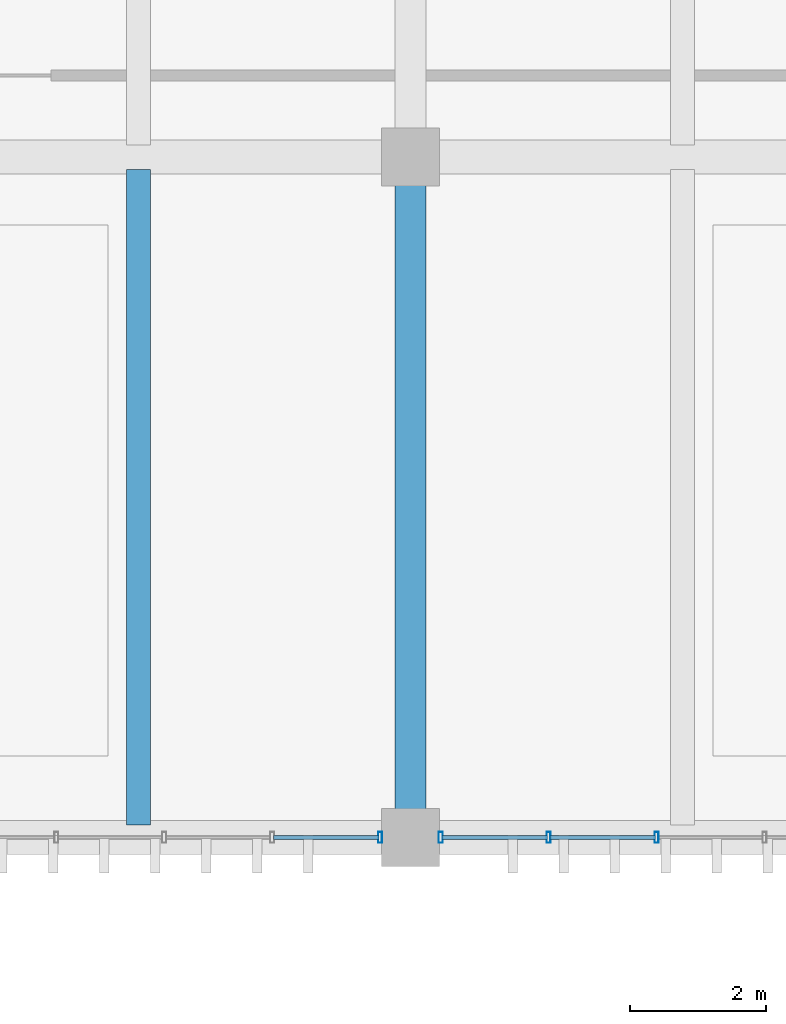
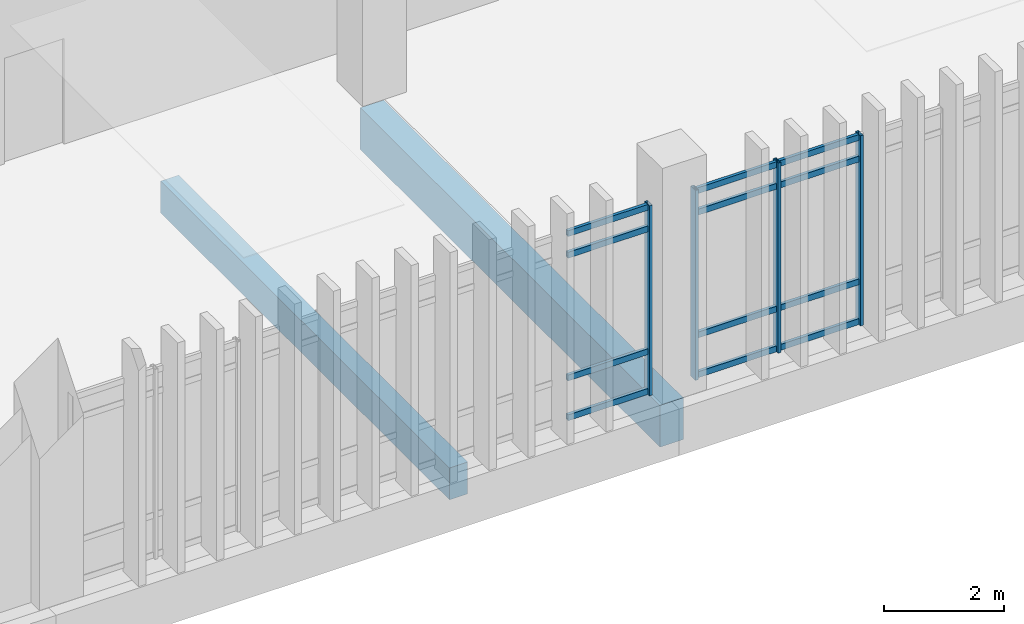
# One storey, part 35 of 87: 16 members, 2 beams, 2 elements without a shape of their own.
"""IFC4 building model written with IfcOpenShell, lengths in metres."""

from ifc_helpers import new_model, si_unit, direction, frame, origin, origin_2d, place, context, subcontext, project, spatial, rectangle, hollow_rectangle, extrude, material, layer, layer_set, material_profile, profile_set, type_object, element, aggregate, save


model = new_model("IFC4")

# Units and contexts
model_context = context("Model", 3, precision=1e-05, world=origin(), true_north=direction((0.0, 1.0)))
body_context = subcontext(model_context, "Body", "Model", "MODEL_VIEW")
ifc_project = project(units=[si_unit("LENGTHUNIT", "METRE"), si_unit("AREAUNIT", "SQUARE_METRE"), si_unit("VOLUMEUNIT", "CUBIC_METRE"), si_unit("PLANEANGLEUNIT", "RADIAN"), si_unit("MASSUNIT", "GRAM", prefix="KILO")], contexts=[model_context])

# Site, building, storey
site_placement = place(None, origin())
site = spatial("IfcSite", under=ifc_project, at=site_placement, CompositionType="ELEMENT")
building_placement = place(site_placement, origin())
building = spatial("IfcBuilding", under=site, at=building_placement, Name="Mersad Railyard Sports Hall", CompositionType="ELEMENT")
storey_placement = place(building_placement, origin())
storey = spatial("IfcBuildingStorey", under=building, at=storey_placement, Name="L00", CompositionType="ELEMENT", Elevation=0.0)

# Curtain wall, member
ifc_material_1 = material(Name="Aluminium 6063-T6", Category="aluminium")
ifc_layer = layer(ifc_material_1, 0.159912109375)
ifc_layer_set = layer_set([ifc_layer], Name="Aluminium 6063-T6")
curtain_wall_type = type_object("IfcCurtainWallType", Name="ARC-CW-CW31", PredefinedType="USERDEFINED", material=ifc_layer_set)
curtain_wall_1_placement = place(storey_placement, origin())
curtain_wall_1 = element("IfcCurtainWall", 1, at=curtain_wall_1_placement, inside=storey, type_object=curtain_wall_type, Name="Curtain wall CW31-0090", ObjectType="CURTAIN WALL", PredefinedType="USERDEFINED")
ifc_material_profile_1 = material_profile(ifc_material_1, hollow_rectangle(XDim=0.06005859375, YDim=0.159912109375, WallThickness=0.00390625, at=origin_2d()), Name="AL MULLION 60x160x4")
ifc_profile_set_1 = profile_set([ifc_material_profile_1], Name="Aluminium 6063-T6")
member_type_1 = type_object("IfcMemberType", Name="ARC-CW-MUL01", PredefinedType="MULLION", material=ifc_profile_set_1)
member_1_placement = place(storey_placement, frame((66.554931640625, 85.0, -0.02001953125), z_axis=(0.0, 0.0, 1.0), x_axis=(1.0, 0.0, 0.0)))
member_1 = element("IfcMember", 2, at=member_1_placement, type_object=member_type_1, Name="CW31 Mullion 1", PredefinedType="MULLION", context=body_context, shape_type="SweptSolid", body=[
    extrude(hollow_rectangle(XDim=0.06005859375, YDim=0.159912109375, WallThickness=0.00390625, at=origin_2d()), origin(), (0.0, 0.0, 1.0), 3.8701171875),
])

# Curtain wall, members
curtain_wall_2_placement = place(storey_placement, origin())
curtain_wall_2 = element("IfcCurtainWall", 3, at=curtain_wall_2_placement, inside=storey, type_object=curtain_wall_type, Name="Curtain wall CW31-0091", ObjectType="CURTAIN WALL", PredefinedType="USERDEFINED")
member_2_placement = place(storey_placement, frame((70.619384765625, 85.0, -0.02001953125), z_axis=(0.0, 0.0, 1.0), x_axis=(1.0, 0.0, 0.0)))
member_2 = element("IfcMember", 4, at=member_2_placement, type_object=member_type_1, Name="CW31 Mullion 6", PredefinedType="MULLION", context=body_context, shape_type="SweptSolid", body=[
    extrude(hollow_rectangle(XDim=0.06005859375, YDim=0.159912109375, WallThickness=0.00390625, at=origin_2d()), origin(), (0.0, 0.0, 1.0), 3.8701171875),
])
member_3_placement = place(storey_placement, frame((69.0322265625, 85.0, -0.02001953125), z_axis=(0.0, 0.0, 1.0), x_axis=(1.0, 0.0, 0.0)))
member_3 = element("IfcMember", 5, at=member_3_placement, type_object=member_type_1, Name="CW31 Mullion 7", PredefinedType="MULLION", context=body_context, shape_type="SweptSolid", body=[
    extrude(hollow_rectangle(XDim=0.06005859375, YDim=0.159912109375, WallThickness=0.00390625, at=origin_2d()), origin(), (0.0, 0.0, 1.0), 3.8701171875),
])
member_4_placement = place(storey_placement, frame((67.445068359375, 85.0, -0.02001953125), z_axis=(0.0, 0.0, 1.0), x_axis=(1.0, 0.0, 0.0)))
member_4 = element("IfcMember", 6, at=member_4_placement, type_object=member_type_1, Name="CW31 Mullion 8", PredefinedType="MULLION", context=body_context, shape_type="SweptSolid", body=[
    extrude(hollow_rectangle(XDim=0.06005859375, YDim=0.159912109375, WallThickness=0.00390625, at=origin_2d()), origin(), (0.0, 0.0, 1.0), 3.8701171875),
])

# Member
ifc_material_profile_2 = material_profile(ifc_material_1, hollow_rectangle(XDim=0.06005859375, YDim=0.1201171875, WallThickness=0.00390625, at=origin_2d()), Name="AL TRANSOM 60x120x4")
ifc_profile_set_2 = profile_set([ifc_material_profile_2], Name="Aluminium 6063-T6")
member_type_2 = type_object("IfcMemberType", Name="ARC-CW-TRN01", PredefinedType="USERDEFINED", material=ifc_profile_set_2)
member_5_placement = place(storey_placement, frame((66.534912109375, 85.0, 0.0400390625), z_axis=(-1.0, 0.0, 0.0), x_axis=(0.0, -1.0, 0.0)))
member_5 = element("IfcMember", 7, at=member_5_placement, type_object=member_type_2, Name="CW31 Transom 1-1", ObjectType="TRANSOM", PredefinedType="USERDEFINED", context=body_context, shape_type="SweptSolid", body=[
    extrude(hollow_rectangle(XDim=0.06005859375, YDim=0.1201171875, WallThickness=0.00390625, at=origin_2d()), origin(), (0.0, 0.0, 1.0), 1.547119140625),
])

member_6_placement = place(storey_placement, frame((66.534912109375, 85.0, 0.85009765625), z_axis=(-1.0, 0.0, 0.0), x_axis=(0.0, -1.0, 0.0)))
member_6 = element("IfcMember", 8, at=member_6_placement, type_object=member_type_2, Name="CW31 Transom 2-1", ObjectType="TRANSOM", PredefinedType="USERDEFINED", context=body_context, shape_type="SweptSolid", body=[
    extrude(hollow_rectangle(XDim=0.06005859375, YDim=0.1201171875, WallThickness=0.00390625, at=origin_2d()), origin(), (0.0, 0.0, 1.0), 1.547119140625),
])

member_7_placement = place(storey_placement, frame((66.534912109375, 85.0, 3.35009765625), z_axis=(-1.0, 0.0, 0.0), x_axis=(0.0, -1.0, 0.0)))
member_7 = element("IfcMember", 9, at=member_7_placement, type_object=member_type_2, Name="CW31 Transom 3-1", ObjectType="TRANSOM", PredefinedType="USERDEFINED", context=body_context, shape_type="SweptSolid", body=[
    extrude(hollow_rectangle(XDim=0.06005859375, YDim=0.1201171875, WallThickness=0.00390625, at=origin_2d()), origin(), (0.0, 0.0, 1.0), 1.547119140625),
])

member_8_placement = place(storey_placement, frame((66.534912109375, 85.0, 3.7900390625), z_axis=(-1.0, 0.0, 0.0), x_axis=(0.0, -1.0, 0.0)))
member_8 = element("IfcMember", 10, at=member_8_placement, type_object=member_type_2, Name="CW31 Transom 4-1", ObjectType="TRANSOM", PredefinedType="USERDEFINED", context=body_context, shape_type="SweptSolid", body=[
    extrude(hollow_rectangle(XDim=0.06005859375, YDim=0.1201171875, WallThickness=0.00390625, at=origin_2d()), origin(), (0.0, 0.0, 1.0), 1.547119140625),
])

aggregate(curtain_wall_1, [member_1, member_5, member_6, member_7, member_8])

member_9_placement = place(storey_placement, frame((70.599365234375, 85.0, 0.0400390625), z_axis=(-1.0, 0.0, 0.0), x_axis=(0.0, -1.0, 0.0)))
member_9 = element("IfcMember", 11, at=member_9_placement, type_object=member_type_2, Name="CW31 Transom 1-6", ObjectType="TRANSOM", PredefinedType="USERDEFINED", context=body_context, shape_type="SweptSolid", body=[
    extrude(hollow_rectangle(XDim=0.06005859375, YDim=0.1201171875, WallThickness=0.00390625, at=origin_2d()), origin(), (0.0, 0.0, 1.0), 1.547119140625),
])

member_10_placement = place(storey_placement, frame((69.01220703125, 85.0, 0.0400390625), z_axis=(-1.0, 0.0, 0.0), x_axis=(0.0, -1.0, 0.0)))
member_10 = element("IfcMember", 12, at=member_10_placement, type_object=member_type_2, Name="CW31 Transom 1-7", ObjectType="TRANSOM", PredefinedType="USERDEFINED", context=body_context, shape_type="SweptSolid", body=[
    extrude(hollow_rectangle(XDim=0.06005859375, YDim=0.1201171875, WallThickness=0.00390625, at=origin_2d()), origin(), (0.0, 0.0, 1.0), 1.547119140625),
])

member_11_placement = place(storey_placement, frame((70.599365234375, 85.0, 0.85009765625), z_axis=(-1.0, 0.0, 0.0), x_axis=(0.0, -1.0, 0.0)))
member_11 = element("IfcMember", 13, at=member_11_placement, type_object=member_type_2, Name="CW31 Transom 2-6", ObjectType="TRANSOM", PredefinedType="USERDEFINED", context=body_context, shape_type="SweptSolid", body=[
    extrude(hollow_rectangle(XDim=0.06005859375, YDim=0.1201171875, WallThickness=0.00390625, at=origin_2d()), origin(), (0.0, 0.0, 1.0), 1.547119140625),
])

member_12_placement = place(storey_placement, frame((69.01220703125, 85.0, 0.85009765625), z_axis=(-1.0, 0.0, 0.0), x_axis=(0.0, -1.0, 0.0)))
member_12 = element("IfcMember", 14, at=member_12_placement, type_object=member_type_2, Name="CW31 Transom 2-7", ObjectType="TRANSOM", PredefinedType="USERDEFINED", context=body_context, shape_type="SweptSolid", body=[
    extrude(hollow_rectangle(XDim=0.06005859375, YDim=0.1201171875, WallThickness=0.00390625, at=origin_2d()), origin(), (0.0, 0.0, 1.0), 1.547119140625),
])

member_13_placement = place(storey_placement, frame((70.599365234375, 85.0, 3.35009765625), z_axis=(-1.0, 0.0, 0.0), x_axis=(0.0, -1.0, 0.0)))
member_13 = element("IfcMember", 15, at=member_13_placement, type_object=member_type_2, Name="CW31 Transom 3-6", ObjectType="TRANSOM", PredefinedType="USERDEFINED", context=body_context, shape_type="SweptSolid", body=[
    extrude(hollow_rectangle(XDim=0.06005859375, YDim=0.1201171875, WallThickness=0.00390625, at=origin_2d()), origin(), (0.0, 0.0, 1.0), 1.547119140625),
])

member_14_placement = place(storey_placement, frame((69.01220703125, 85.0, 3.35009765625), z_axis=(-1.0, 0.0, 0.0), x_axis=(0.0, -1.0, 0.0)))
member_14 = element("IfcMember", 16, at=member_14_placement, type_object=member_type_2, Name="CW31 Transom 3-7", ObjectType="TRANSOM", PredefinedType="USERDEFINED", context=body_context, shape_type="SweptSolid", body=[
    extrude(hollow_rectangle(XDim=0.06005859375, YDim=0.1201171875, WallThickness=0.00390625, at=origin_2d()), origin(), (0.0, 0.0, 1.0), 1.547119140625),
])

member_15_placement = place(storey_placement, frame((70.599365234375, 85.0, 3.7900390625), z_axis=(-1.0, 0.0, 0.0), x_axis=(0.0, -1.0, 0.0)))
member_15 = element("IfcMember", 17, at=member_15_placement, type_object=member_type_2, Name="CW31 Transom 4-6", ObjectType="TRANSOM", PredefinedType="USERDEFINED", context=body_context, shape_type="SweptSolid", body=[
    extrude(hollow_rectangle(XDim=0.06005859375, YDim=0.1201171875, WallThickness=0.00390625, at=origin_2d()), origin(), (0.0, 0.0, 1.0), 1.547119140625),
])

member_16_placement = place(storey_placement, frame((69.01220703125, 85.0, 3.7900390625), z_axis=(-1.0, 0.0, 0.0), x_axis=(0.0, -1.0, 0.0)))
member_16 = element("IfcMember", 18, at=member_16_placement, type_object=member_type_2, Name="CW31 Transom 4-7", ObjectType="TRANSOM", PredefinedType="USERDEFINED", context=body_context, shape_type="SweptSolid", body=[
    extrude(hollow_rectangle(XDim=0.06005859375, YDim=0.1201171875, WallThickness=0.00390625, at=origin_2d()), origin(), (0.0, 0.0, 1.0), 1.547119140625),
])

aggregate(curtain_wall_2, [member_2, member_3, member_4, member_9, member_10, member_11, member_12, member_13, member_14, member_15, member_16])

# Beams
ifc_material_2 = material(Name="Concrete C40/50", Category="concrete")
ifc_material_profile_3 = material_profile(ifc_material_2, rectangle(XDim=0.449951171875, YDim=0.85009765625, at=origin_2d()), Name="RC 450x850")
ifc_profile_set_3 = profile_set([ifc_material_profile_3], Name="Concrete C40/50")
beam_type_1 = type_object("IfcBeamType", Name="STR-BM-B02", PredefinedType="BEAM", material=ifc_profile_set_3)
beam_1_placement = place(storey_placement, frame((67.0, 85.0, -0.77490234375), z_axis=(0.0, 1.0, 0.0), x_axis=(-1.0, 0.0, 0.0)))
element("IfcBeam", 19, at=beam_1_placement, inside=storey, type_object=beam_type_1, Name="Beam B02-0180", PredefinedType="BEAM", context=body_context, shape_type="SweptSolid", body=[
    extrude(rectangle(XDim=0.449951171875, YDim=0.85009765625, at=origin_2d()), origin(), (0.0, 0.0, 1.0), 10.0),
])
ifc_material_profile_4 = material_profile(ifc_material_2, rectangle(XDim=0.35009765625, YDim=0.64990234375, at=origin_2d()), Name="RC 350x650")
ifc_profile_set_4 = profile_set([ifc_material_profile_4], Name="Concrete C40/50")
beam_type_2 = type_object("IfcBeamType", Name="STR-BM-J01", PredefinedType="JOIST", material=ifc_profile_set_4)
beam_2_placement = place(storey_placement, frame((63.0, 85.179931640625, -0.675048828125), z_axis=(0.0, 1.0, 0.0), x_axis=(-1.0, 0.0, 0.0)))
element("IfcBeam", 20, at=beam_2_placement, inside=storey, type_object=beam_type_2, Name="Beam J01-0230", PredefinedType="JOIST", context=body_context, shape_type="SweptSolid", body=[
    extrude(rectangle(XDim=0.35009765625, YDim=0.64990234375, at=origin_2d()), origin(), (0.0, 0.0, 1.0), 9.64013671875),
])

save(model, "model.ifc")
